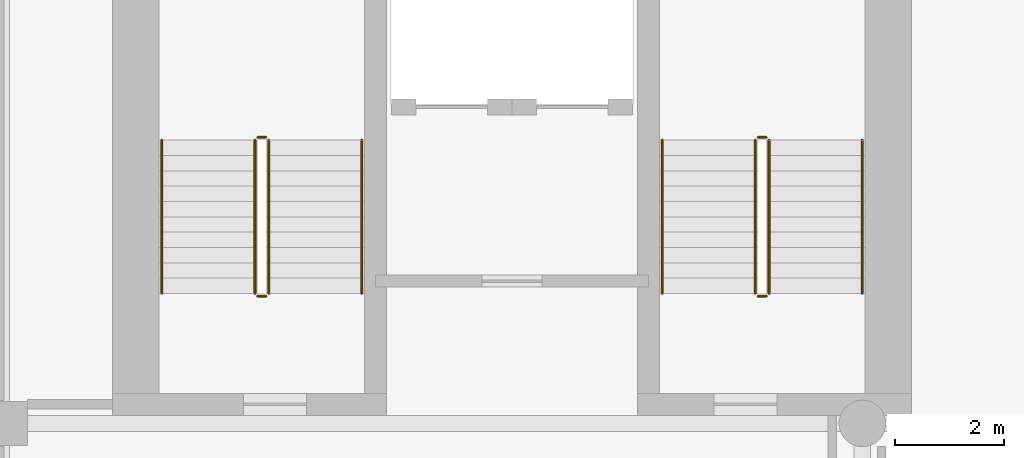
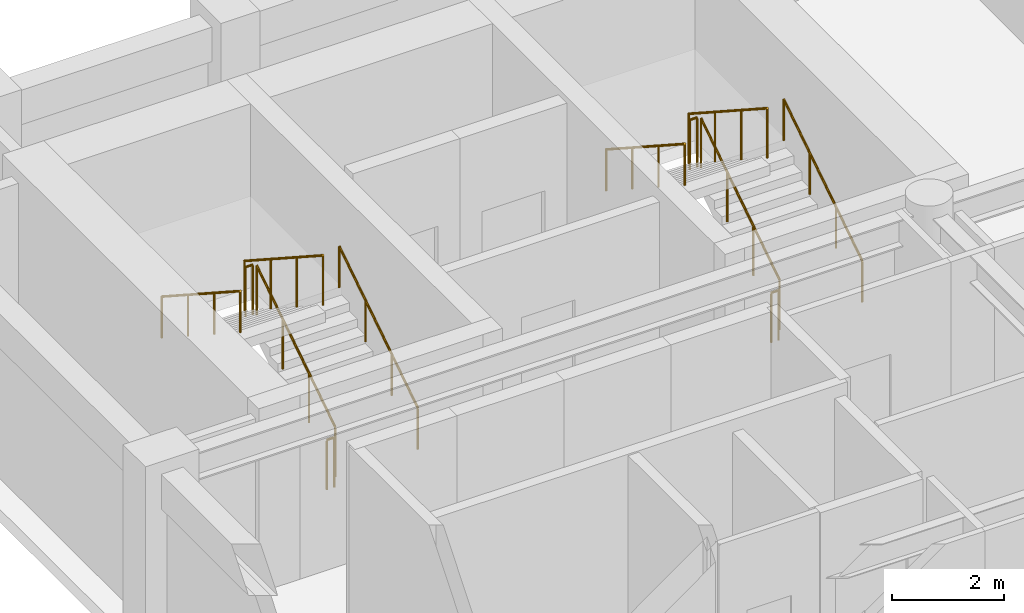
# One storey, part 7 of 8: 12 railings.
"""IFC4 building model written with IfcOpenShell, lengths in metres."""

from ifc_helpers import new_model, si_unit, direction, frame, origin, origin_2d, place, context, subcontext, project, spatial, circle, extrude, material, type_object, element, save


model = new_model("IFC4")

# Units and contexts
model_context = context("Model", 3, precision=1e-05, world=origin(), true_north=direction((0.0, 1.0)))
body_context = subcontext(model_context, "Body", "Model", "MODEL_VIEW")
ifc_project = project(units=[si_unit("LENGTHUNIT", "METRE"), si_unit("AREAUNIT", "SQUARE_METRE"), si_unit("VOLUMEUNIT", "CUBIC_METRE"), si_unit("PLANEANGLEUNIT", "RADIAN"), si_unit("MASSUNIT", "GRAM", prefix="KILO")], contexts=[model_context])

# Site, building, storey
site_placement = place(None, origin())
site = spatial("IfcSite", under=ifc_project, at=site_placement, CompositionType="ELEMENT")
building_placement = place(site_placement, origin())
building = spatial("IfcBuilding", under=site, at=building_placement, Name="Sulina Concourse Tower", CompositionType="ELEMENT")
storey_placement = place(building_placement, frame((0.0, 0.0, 174.60009765625)))
storey = spatial("IfcBuildingStorey", under=building, at=storey_placement, Name="L42", CompositionType="ELEMENT", Elevation=174.60009765625)

# Railings
ifc_material_1 = material(Name="Galvanised steel railing", Category="steel")
railing_type_1 = type_object("IfcRailingType", Name="Core Stair Steel Guardrail 1150mm", PredefinedType="GUARDRAIL", material=ifc_material_1)
railing_1_placement = place(storey_placement, frame((5.554931640625, 36.375, 0.181640625)))
element("IfcRailing", 1, at=railing_1_placement, inside=storey, type_object=railing_type_1, Name="L42 ST-1 stair guard 1", PredefinedType="GUARDRAIL", context=body_context, shape_type="SweptSolid", body=[
    extrude(circle(Radius=0.02392578125, at=origin_2d()), frame((0.0, 0.0, 1.076171875), z_axis=(0.0, 0.838672427954, 0.544636170843), x_axis=(-1.0, 0.0, 0.0)), (0.0, 0.0, 1.0), 3.338623046875),
    extrude(circle(Radius=0.02099609375, at=origin_2d()), origin(), (0.0, 0.0, 1.0), 1.052001953125),
    extrude(circle(Radius=0.02099609375, at=origin_2d()), frame((0.0, 0.933349609375, 0.606201171875)), (0.0, 0.0, 1.0), 1.052001953125),
    extrude(circle(Radius=0.02099609375, at=origin_2d()), frame((0.0, 1.86669921875, 1.212158203125)), (0.0, 0.0, 1.0), 1.052001953125),
    extrude(circle(Radius=0.02099609375, at=origin_2d()), frame((0.0, 2.800048828125, 1.818359375)), (0.0, 0.0, 1.0), 1.052001953125),
])
railing_2_placement = place(storey_placement, frame((5.5048828125, 39.22509765625, 2.0)))
element("IfcRailing", 2, at=railing_2_placement, inside=storey, type_object=railing_type_1, Name="L42 ST-1 stair guard 2", PredefinedType="GUARDRAIL", context=body_context, shape_type="SweptSolid", body=[
    extrude(circle(Radius=0.02392578125, at=origin_2d()), frame((0.0, 0.0, 1.076171875), z_axis=(-1.0, 0.0, 0.0), x_axis=(0.0, -1.0, 0.0)), (0.0, 0.0, 1.0), 0.14990234375),
    extrude(circle(Radius=0.02099609375, at=origin_2d()), origin(), (0.0, 0.0, 1.0), 1.052001953125),
    extrude(circle(Radius=0.02099609375, at=origin_2d()), frame((-0.14990234375, 0.0, 0.0)), (0.0, 0.0, 1.0), 1.052001953125),
])
railing_3_placement = place(storey_placement, frame((5.304931640625, 39.175048828125, 2.181640625)))
element("IfcRailing", 3, at=railing_3_placement, inside=storey, type_object=railing_type_1, Name="L42 ST-1 stair guard 3", PredefinedType="GUARDRAIL", context=body_context, shape_type="SweptSolid", body=[
    extrude(circle(Radius=0.02392578125, at=origin_2d()), frame((0.0, 0.0, 1.076171875), z_axis=(0.0, -0.838672427954, 0.544636170843), x_axis=(1.0, 0.0, 0.0)), (0.0, 0.0, 1.0), 3.338623046875),
    extrude(circle(Radius=0.02099609375, at=origin_2d()), origin(), (0.0, 0.0, 1.0), 1.052001953125),
    extrude(circle(Radius=0.02099609375, at=origin_2d()), frame((0.0, -0.933349609375, 0.606201171875)), (0.0, 0.0, 1.0), 1.052001953125),
    extrude(circle(Radius=0.02099609375, at=origin_2d()), frame((0.0, -1.86669921875, 1.212158203125)), (0.0, 0.0, 1.0), 1.052001953125),
    extrude(circle(Radius=0.02099609375, at=origin_2d()), frame((0.0, -2.800048828125, 1.818359375)), (0.0, 0.0, 1.0), 1.052001953125),
])
railing_4_placement = place(storey_placement, frame((5.5048828125, 36.324951171875, 0.0)))
element("IfcRailing", 4, at=railing_4_placement, inside=storey, type_object=railing_type_1, Name="L42 ST-1 stair guard 4", PredefinedType="GUARDRAIL", context=body_context, shape_type="SweptSolid", body=[
    extrude(circle(Radius=0.02392578125, at=origin_2d()), frame((0.0, 0.0, 1.076171875), z_axis=(-1.0, 0.0, 0.0), x_axis=(0.0, -1.0, 0.0)), (0.0, 0.0, 1.0), 0.14990234375),
    extrude(circle(Radius=0.02099609375, at=origin_2d()), origin(), (0.0, 0.0, 1.0), 1.052001953125),
    extrude(circle(Radius=0.02099609375, at=origin_2d()), frame((-0.14990234375, 0.0, 0.0)), (0.0, 0.0, 1.0), 1.052001953125),
])
railing_5_placement = place(storey_placement, frame((14.695068359375, 36.375, 0.181640625)))
element("IfcRailing", 5, at=railing_5_placement, inside=storey, type_object=railing_type_1, Name="L42 ST-2 stair guard 1", PredefinedType="GUARDRAIL", context=body_context, shape_type="SweptSolid", body=[
    extrude(circle(Radius=0.02392578125, at=origin_2d()), frame((0.0, 0.0, 1.076171875), z_axis=(0.0, 0.838672427954, 0.544636170843), x_axis=(-1.0, 0.0, 0.0)), (0.0, 0.0, 1.0), 3.338623046875),
    extrude(circle(Radius=0.02099609375, at=origin_2d()), origin(), (0.0, 0.0, 1.0), 1.052001953125),
    extrude(circle(Radius=0.02099609375, at=origin_2d()), frame((0.0, 0.933349609375, 0.606201171875)), (0.0, 0.0, 1.0), 1.052001953125),
    extrude(circle(Radius=0.02099609375, at=origin_2d()), frame((0.0, 1.86669921875, 1.212158203125)), (0.0, 0.0, 1.0), 1.052001953125),
    extrude(circle(Radius=0.02099609375, at=origin_2d()), frame((0.0, 2.800048828125, 1.818359375)), (0.0, 0.0, 1.0), 1.052001953125),
])
railing_6_placement = place(storey_placement, frame((14.64501953125, 39.22509765625, 2.0)))
element("IfcRailing", 6, at=railing_6_placement, inside=storey, type_object=railing_type_1, Name="L42 ST-2 stair guard 2", PredefinedType="GUARDRAIL", context=body_context, shape_type="SweptSolid", body=[
    extrude(circle(Radius=0.02392578125, at=origin_2d()), frame((0.0, 0.0, 1.076171875), z_axis=(-1.0, 0.0, 0.0), x_axis=(0.0, -1.0, 0.0)), (0.0, 0.0, 1.0), 0.14990234375),
    extrude(circle(Radius=0.02099609375, at=origin_2d()), origin(), (0.0, 0.0, 1.0), 1.052001953125),
    extrude(circle(Radius=0.02099609375, at=origin_2d()), frame((-0.14990234375, 0.0, 0.0)), (0.0, 0.0, 1.0), 1.052001953125),
])
railing_7_placement = place(storey_placement, frame((14.445068359375, 39.175048828125, 2.181640625)))
element("IfcRailing", 7, at=railing_7_placement, inside=storey, type_object=railing_type_1, Name="L42 ST-2 stair guard 3", PredefinedType="GUARDRAIL", context=body_context, shape_type="SweptSolid", body=[
    extrude(circle(Radius=0.02392578125, at=origin_2d()), frame((0.0, 0.0, 1.076171875), z_axis=(0.0, -0.838672427954, 0.544636170843), x_axis=(1.0, 0.0, 0.0)), (0.0, 0.0, 1.0), 3.338623046875),
    extrude(circle(Radius=0.02099609375, at=origin_2d()), origin(), (0.0, 0.0, 1.0), 1.052001953125),
    extrude(circle(Radius=0.02099609375, at=origin_2d()), frame((0.0, -0.933349609375, 0.606201171875)), (0.0, 0.0, 1.0), 1.052001953125),
    extrude(circle(Radius=0.02099609375, at=origin_2d()), frame((0.0, -1.86669921875, 1.212158203125)), (0.0, 0.0, 1.0), 1.052001953125),
    extrude(circle(Radius=0.02099609375, at=origin_2d()), frame((0.0, -2.800048828125, 1.818359375)), (0.0, 0.0, 1.0), 1.052001953125),
])
railing_8_placement = place(storey_placement, frame((14.64501953125, 36.324951171875, 0.0)))
element("IfcRailing", 8, at=railing_8_placement, inside=storey, type_object=railing_type_1, Name="L42 ST-2 stair guard 4", PredefinedType="GUARDRAIL", context=body_context, shape_type="SweptSolid", body=[
    extrude(circle(Radius=0.02392578125, at=origin_2d()), frame((0.0, 0.0, 1.076171875), z_axis=(-1.0, 0.0, 0.0), x_axis=(0.0, -1.0, 0.0)), (0.0, 0.0, 1.0), 0.14990234375),
    extrude(circle(Radius=0.02099609375, at=origin_2d()), origin(), (0.0, 0.0, 1.0), 1.052001953125),
    extrude(circle(Radius=0.02099609375, at=origin_2d()), frame((-0.14990234375, 0.0, 0.0)), (0.0, 0.0, 1.0), 1.052001953125),
])
ifc_material_2 = material(Name="Galvanised steel railing", Category="steel")
railing_type_2 = type_object("IfcRailingType", Name="Stair Wall Steel Handrail 920mm", PredefinedType="HANDRAIL", material=ifc_material_2)
railing_9_placement = place(storey_placement, frame((7.2548828125, 36.375, 0.181640625)))
element("IfcRailing", 9, at=railing_9_placement, inside=storey, type_object=railing_type_2, Name="L42 ST-1 stair handrail 1", PredefinedType="HANDRAIL", context=body_context, shape_type="SweptSolid", body=[
    extrude(circle(Radius=0.02392578125, at=origin_2d()), frame((0.0, 0.0, 0.89599609375), z_axis=(0.0, 0.838672427954, 0.544636170843), x_axis=(-1.0, 0.0, 0.0)), (0.0, 0.0, 1.0), 3.338623046875),
    extrude(circle(Radius=0.02099609375, at=origin_2d()), origin(), (0.0, 0.0, 1.0), 0.871826171875),
    extrude(circle(Radius=0.02099609375, at=origin_2d()), frame((0.0, 0.933349609375, 0.606201171875)), (0.0, 0.0, 1.0), 0.871826171875),
    extrude(circle(Radius=0.02099609375, at=origin_2d()), frame((0.0, 1.86669921875, 1.212158203125)), (0.0, 0.0, 1.0), 0.871826171875),
    extrude(circle(Radius=0.02099609375, at=origin_2d()), frame((0.0, 2.800048828125, 1.818359375)), (0.0, 0.0, 1.0), 0.871826171875),
])
railing_10_placement = place(storey_placement, frame((3.60498046875, 39.175048828125, 2.181640625)))
element("IfcRailing", 10, at=railing_10_placement, inside=storey, type_object=railing_type_2, Name="L42 ST-1 stair handrail 2", PredefinedType="HANDRAIL", context=body_context, shape_type="SweptSolid", body=[
    extrude(circle(Radius=0.02392578125, at=origin_2d()), frame((0.0, 0.0, 0.89599609375), z_axis=(0.0, -0.838672427954, 0.544636170843), x_axis=(1.0, 0.0, 0.0)), (0.0, 0.0, 1.0), 3.338623046875),
    extrude(circle(Radius=0.02099609375, at=origin_2d()), origin(), (0.0, 0.0, 1.0), 0.871826171875),
    extrude(circle(Radius=0.02099609375, at=origin_2d()), frame((0.0, -0.933349609375, 0.606201171875)), (0.0, 0.0, 1.0), 0.871826171875),
    extrude(circle(Radius=0.02099609375, at=origin_2d()), frame((0.0, -1.86669921875, 1.212158203125)), (0.0, 0.0, 1.0), 0.871826171875),
    extrude(circle(Radius=0.02099609375, at=origin_2d()), frame((0.0, -2.800048828125, 1.818359375)), (0.0, 0.0, 1.0), 0.871826171875),
])
railing_11_placement = place(storey_placement, frame((16.39501953125, 36.375, 0.181640625)))
element("IfcRailing", 11, at=railing_11_placement, inside=storey, type_object=railing_type_2, Name="L42 ST-2 stair handrail 1", PredefinedType="HANDRAIL", context=body_context, shape_type="SweptSolid", body=[
    extrude(circle(Radius=0.02392578125, at=origin_2d()), frame((0.0, 0.0, 0.89599609375), z_axis=(0.0, 0.838672427954, 0.544636170843), x_axis=(-1.0, 0.0, 0.0)), (0.0, 0.0, 1.0), 3.338623046875),
    extrude(circle(Radius=0.02099609375, at=origin_2d()), origin(), (0.0, 0.0, 1.0), 0.871826171875),
    extrude(circle(Radius=0.02099609375, at=origin_2d()), frame((0.0, 0.933349609375, 0.606201171875)), (0.0, 0.0, 1.0), 0.871826171875),
    extrude(circle(Radius=0.02099609375, at=origin_2d()), frame((0.0, 1.86669921875, 1.212158203125)), (0.0, 0.0, 1.0), 0.871826171875),
    extrude(circle(Radius=0.02099609375, at=origin_2d()), frame((0.0, 2.800048828125, 1.818359375)), (0.0, 0.0, 1.0), 0.871826171875),
])
railing_12_placement = place(storey_placement, frame((12.7451171875, 39.175048828125, 2.181640625)))
element("IfcRailing", 12, at=railing_12_placement, inside=storey, type_object=railing_type_2, Name="L42 ST-2 stair handrail 2", PredefinedType="HANDRAIL", context=body_context, shape_type="SweptSolid", body=[
    extrude(circle(Radius=0.02392578125, at=origin_2d()), frame((0.0, 0.0, 0.89599609375), z_axis=(0.0, -0.838672427954, 0.544636170843), x_axis=(1.0, 0.0, 0.0)), (0.0, 0.0, 1.0), 3.338623046875),
    extrude(circle(Radius=0.02099609375, at=origin_2d()), origin(), (0.0, 0.0, 1.0), 0.871826171875),
    extrude(circle(Radius=0.02099609375, at=origin_2d()), frame((0.0, -0.933349609375, 0.606201171875)), (0.0, 0.0, 1.0), 0.871826171875),
    extrude(circle(Radius=0.02099609375, at=origin_2d()), frame((0.0, -1.86669921875, 1.212158203125)), (0.0, 0.0, 1.0), 0.871826171875),
    extrude(circle(Radius=0.02099609375, at=origin_2d()), frame((0.0, -2.800048828125, 1.818359375)), (0.0, 0.0, 1.0), 0.871826171875),
])

save(model, "model.ifc")
